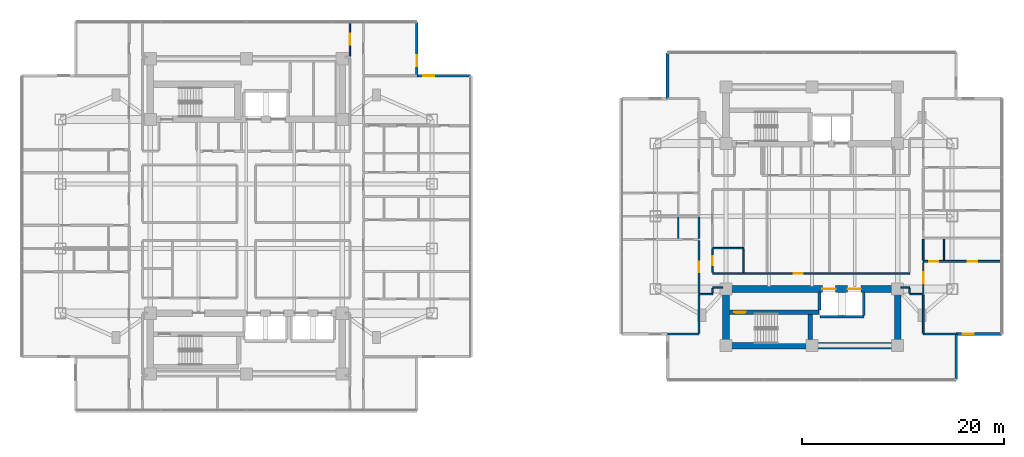
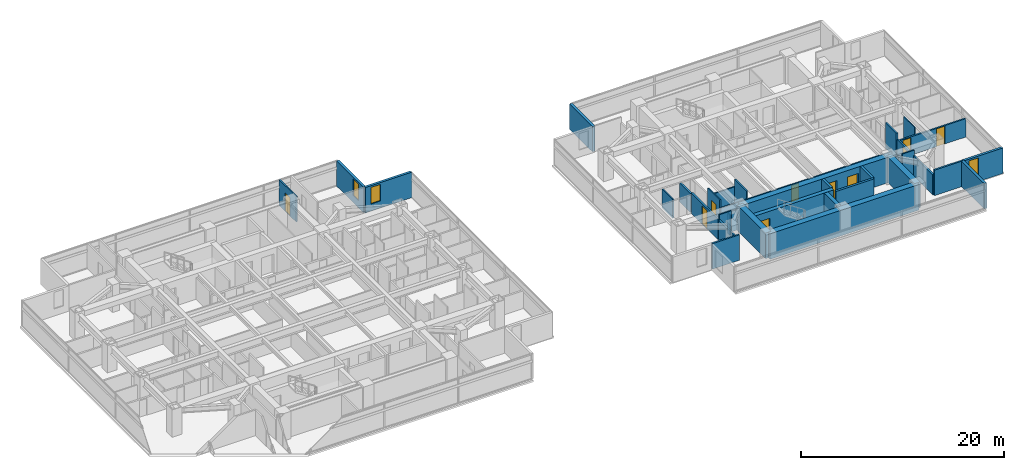
# One storey, part 17 of 25: 36 walls, 10 doors, 3 windows, 13 openings.
"""IFC4 building model written with IfcOpenShell, lengths in metres."""

from ifc_helpers import new_model, si_unit, direction, frame, frame_2d, origin, place, context, subcontext, project, spatial, rectangle, extrude, material, layer, layer_set, type_object, element, fill, save


model = new_model("IFC4")

# Units and contexts
model_context = context("Model", 3, precision=1e-05, world=origin(), true_north=direction((0.0, 1.0)))
body_context = subcontext(model_context, "Body", "Model", "MODEL_VIEW")
ifc_project = project(units=[si_unit("LENGTHUNIT", "METRE"), si_unit("AREAUNIT", "SQUARE_METRE"), si_unit("VOLUMEUNIT", "CUBIC_METRE"), si_unit("PLANEANGLEUNIT", "RADIAN"), si_unit("MASSUNIT", "GRAM", prefix="KILO")], contexts=[model_context])

# Site, building, storey
site_placement = place(None, origin())
site = spatial("IfcSite", under=ifc_project, at=site_placement, CompositionType="ELEMENT")
building_placement = place(site_placement, origin())
building = spatial("IfcBuilding", under=site, at=building_placement, Name="Mirazonda Arch Towers", CompositionType="ELEMENT")
storey_placement = place(building_placement, frame((0.0, 0.0, 111.5)))
storey = spatial("IfcBuildingStorey", under=building, at=storey_placement, Name="L31", CompositionType="ELEMENT", Elevation=111.5)

# Wall, opening, door
ifc_material_1 = material(Name="Concrete C50/60", Category="concrete")
ifc_layer_1 = layer(ifc_material_1, 0.449951171875, Name="WALL-CORE-450")
ifc_layer_set_1 = layer_set([ifc_layer_1], Name="Concrete C50/60")
wall_type_1 = type_object("IfcWallType", Name="WALL-CORE-450", PredefinedType="SHEAR", material=ifc_layer_set_1)
wall_1_placement = place(storey_placement, frame((68.320068359375, 18.5, 0.0), z_axis=(0.0, 0.0, 1.0), x_axis=(1.0, 0.0, 0.0)))
wall_1 = element("IfcWall", 1, at=wall_1_placement, inside=storey, type_object=wall_type_1, Name="L31 Stair Core Shear Wall 014", PredefinedType="SHEAR", context=body_context, shape_type="SweptSolid", body=[
    extrude(rectangle(XDim=8.89990234375, YDim=0.449951171875, at=frame_2d((4.449951171875, 0.0))), origin(), (0.0, 0.0, 1.0), 3.080078125),
])
opening_1_placement = place(wall_1_placement, frame((0.4951171875, 0.0, 0.0)))
opening_1 = element("IfcOpeningElement", 2, at=opening_1_placement, cuts=wall_1, Name="Opening DR-135", PredefinedType="OPENING", context=body_context, shape_type="SweptSolid", body=[
    extrude(rectangle(XDim=1.14990234375, YDim=2.199951171875, at=frame_2d((0.574951171875, 1.10009765625))), frame((0.0, 0.23486328125, 0.0), z_axis=(0.0, -1.0, 0.0), x_axis=(1.0, 0.0, 0.0)), (0.0, 0.0, 1.0), 0.469970703125),
])
ifc_material_2 = material(Name="Architectural Brushed Steel S355", Category="steel")
door_type_1 = type_object("IfcDoorType", Name="DOOR-STAIR-FD90-1150", OperationType="NOTDEFINED", PredefinedType="DOOR", material=ifc_material_2)
door_1_placement = place(opening_1_placement, origin())
door_1 = element("IfcDoor", 3, at=door_1_placement, inside=storey, type_object=door_type_1, Name="L31 East Protected Stair South Door", OperationType="SINGLE_SWING_RIGHT", OverallHeight=2.199951171875, OverallWidth=1.14990234375, PredefinedType="DOOR", context=body_context, shape_type="SweptSolid", body=[
    extrude(rectangle(XDim=1.14990234375, YDim=2.199951171875, at=frame_2d((0.574951171875, 1.10009765625))), frame((0.0, 0.02490234375, 0.0), z_axis=(0.0, -1.0, 0.0), x_axis=(1.0, 0.0, 0.0)), (0.0, 0.0, 1.0), 0.050048828125),
])
fill(opening_1, door_1)

# Walls
wall_2_placement = place(storey_placement, frame((76.360107421875, 15.81494140625, 0.0), z_axis=(0.0, 0.0, 1.0), x_axis=(0.0, 1.0, 0.0)))
element("IfcWall", 4, at=wall_2_placement, inside=storey, type_object=wall_type_1, Name="L31 Stair Core Shear Wall 154", PredefinedType="SHEAR", context=body_context, shape_type="SweptSolid", body=[
    extrude(rectangle(XDim=2.449951171875, YDim=0.449951171875, at=frame_2d((1.22509765625, 0.0))), origin(), (0.0, 0.0, 1.0), 3.080078125),
])
ifc_material_3 = material(Name="Concrete C60/75", Category="concrete")
ifc_layer_2 = layer(ifc_material_3, 0.64990234375, Name="WALL-CORE-650")
ifc_layer_set_2 = layer_set([ifc_layer_2], Name="Concrete C60/75")
wall_type_2 = type_object("IfcWallType", Name="WALL-CORE-650", PredefinedType="SHEAR", material=ifc_layer_set_2)
wall_3_placement = place(storey_placement, frame((68.0, 15.199951171875, 0.0), z_axis=(0.0, 0.0, 1.0), x_axis=(1.0, 0.0, 0.0)))
element("IfcWall", 5, at=wall_3_placement, inside=storey, type_object=wall_type_2, Name="L31 T2S-S Core Shear Wall", PredefinedType="SHEAR", context=body_context, shape_type="SweptSolid", body=[
    extrude(rectangle(XDim=17.0, YDim=0.64990234375, at=frame_2d((8.5, 0.0))), origin(), (0.0, 0.0, 1.0), 3.080078125),
])
for number, where, z_axis, x_axis, name in (
    (6, (68.0, 15.199951171875, 0.0), (0.0, 0.0, 1.0), (0.0, 1.0, 0.0), "L31 T2S-W Core Shear Wall"),
    (7, (85.0, 15.199951171875, 0.0), (0.0, 0.0, 1.0), (0.0, 1.0, 0.0), "L31 T2S-E Core Shear Wall"),
):
    element("IfcWall", number, at=place(storey_placement, frame(where, z_axis=z_axis, x_axis=x_axis)), inside=storey, type_object=wall_type_2, Name=name, PredefinedType="SHEAR", context=body_context, shape_type="SweptSolid", body=[
        extrude(rectangle(XDim=5.60009765625, YDim=0.64990234375, at=frame_2d((2.800048828125, 0.0))), origin(), (0.0, 0.0, 1.0), 3.080078125),
    ])

# Wall, openings, doors
wall_4_placement = place(storey_placement, frame((68.0, 20.800048828125, 0.0), z_axis=(0.0, 0.0, 1.0), x_axis=(1.0, 0.0, 0.0)))
wall_4 = element("IfcWall", 8, at=wall_4_placement, inside=storey, type_object=wall_type_2, Name="L31 T2S-N Core Shear Wall", PredefinedType="SHEAR", context=body_context, shape_type="SweptSolid", body=[
    extrude(rectangle(XDim=17.0, YDim=0.64990234375, at=frame_2d((8.5, 0.0))), origin(), (0.0, 0.0, 1.0), 3.080078125),
])
opening_2_placement = place(wall_4_placement, frame((9.550048828125, 0.0, 0.0)))
opening_2 = element("IfcOpeningElement", 9, at=opening_2_placement, cuts=wall_4, Name="Opening LD-111", PredefinedType="OPENING", context=body_context, shape_type="SweptSolid", body=[
    extrude(rectangle(XDim=1.300048828125, YDim=2.300048828125, at=frame_2d((0.64990234375, 1.14990234375))), frame((0.0, 0.3349609375, 0.0), z_axis=(0.0, -1.0, 0.0), x_axis=(1.0, 0.0, 0.0)), (0.0, 0.0, 1.0), 0.669921875),
])
opening_3_placement = place(wall_4_placement, frame((12.050048828125, 0.0, 0.0)))
opening_3 = element("IfcOpeningElement", 10, at=opening_3_placement, cuts=wall_4, Name="Opening LD-111", PredefinedType="OPENING", context=body_context, shape_type="SweptSolid", body=[
    extrude(rectangle(XDim=1.300048828125, YDim=2.300048828125, at=frame_2d((0.64990234375, 1.14990234375))), frame((0.0, 0.3349609375, 0.0), z_axis=(0.0, -1.0, 0.0), x_axis=(1.0, 0.0, 0.0)), (0.0, 0.0, 1.0), 0.669921875),
])
door_type_2 = type_object("IfcDoorType", Name="DOOR-LIFT-LAND-1300", OperationType="NOTDEFINED", PredefinedType="DOOR", material=ifc_material_2)
door_2_placement = place(opening_2_placement, origin())
door_2 = element("IfcDoor", 11, at=door_2_placement, inside=storey, type_object=door_type_2, Name="L31 Lift Landing Sliding Door PL-T2H1", OperationType="DOUBLE_DOOR_SLIDING", OverallHeight=2.300048828125, OverallWidth=1.300048828125, PredefinedType="DOOR", context=body_context, shape_type="SweptSolid", body=[
    extrude(rectangle(XDim=1.300048828125, YDim=2.300048828125, at=frame_2d((0.64990234375, 1.14990234375))), frame((0.0, 0.02490234375, 0.0), z_axis=(0.0, -1.0, 0.0), x_axis=(1.0, 0.0, 0.0)), (0.0, 0.0, 1.0), 0.050048828125),
])
fill(opening_2, door_2)
door_3_placement = place(opening_3_placement, origin())
door_3 = element("IfcDoor", 12, at=door_3_placement, inside=storey, type_object=door_type_2, Name="L31 Lift Landing Sliding Door PL-T2H2", OperationType="DOUBLE_DOOR_SLIDING", OverallHeight=2.300048828125, OverallWidth=1.300048828125, PredefinedType="DOOR", context=body_context, shape_type="SweptSolid", body=[
    extrude(rectangle(XDim=1.300048828125, YDim=2.300048828125, at=frame_2d((0.64990234375, 1.14990234375))), frame((0.0, 0.02490234375, 0.0), z_axis=(0.0, -1.0, 0.0), x_axis=(1.0, 0.0, 0.0)), (0.0, 0.0, 1.0), 0.050048828125),
])
fill(opening_3, door_3)

# Wall, opening, window
ifc_material_4 = material(Name="Precast Concrete C40/50", Category="concrete")
ifc_layer_3 = layer(ifc_material_4, 0.280029296875, Name="WALL-EXT-WALL-280")
ifc_layer_set_3 = layer_set([ifc_layer_3], Name="Precast Concrete C40/50")
wall_type_3 = type_object("IfcWallType", Name="WALL-EXT-WALL-280", PredefinedType="SOLIDWALL", material=ifc_layer_set_3)
wall_5_placement = place(storey_placement, frame((37.385009765625, 41.910888671875, 0.0), z_axis=(0.0, 0.0, 1.0), x_axis=(0.0, 1.0, 0.0)))
wall_5 = element("IfcWall", 13, at=wall_5_placement, inside=storey, type_object=wall_type_3, Name="L31 T1 Notched NE Corner Wall WL-L31-T1-CNE", PredefinedType="SOLIDWALL", context=body_context, shape_type="SweptSolid", body=[
    extrude(rectangle(XDim=5.30517578125, YDim=0.280029296875, at=frame_2d((2.652587890625, 0.0))), origin(), (0.0, 0.0, 1.0), 3.06005859375),
])
opening_4_placement = place(wall_5_placement, frame((0.949951171875, 0.0, 0.85009765625)))
opening_4 = element("IfcOpeningElement", 14, at=opening_4_placement, cuts=wall_5, Name="Opening WN-108", PredefinedType="OPENING", context=body_context, shape_type="SweptSolid", body=[
    extrude(rectangle(XDim=1.10009765625, YDim=2.0, at=frame_2d((0.550048828125, 1.0))), frame((0.0, 0.14990234375, 0.0), z_axis=(0.0, -1.0, 0.0), x_axis=(1.0, 0.0, 0.0)), (0.0, 0.0, 1.0), 0.300048828125),
])
ifc_material_5 = material(Name="Insulated Low-E Solar Glass", Category="glass")
window_type = type_object("IfcWindowType", Name="WIN-NOTCH-1100x2000", PartitioningType="SINGLE_PANEL", PredefinedType="WINDOW", material=ifc_material_5)
window_1_placement = place(opening_4_placement, origin())
window_1 = element("IfcWindow", 15, at=window_1_placement, inside=storey, type_object=window_type, Name="L31 Punched Facade Window WN-L31-T1-CNE", OverallHeight=2.0, OverallWidth=1.10009765625, PartitioningType="SINGLE_PANEL", PredefinedType="WINDOW", context=body_context, shape_type="SweptSolid", body=[
    extrude(rectangle(XDim=1.10009765625, YDim=2.0, at=frame_2d((0.550048828125, 1.0))), frame((0.0, 0.030029296875, 0.0), z_axis=(0.0, -1.0, 0.0), x_axis=(1.0, 0.0, 0.0)), (0.0, 0.0, 1.0), 0.06005859375),
])
fill(opening_4, window_1)

wall_6_placement = place(storey_placement, frame((42.68994140625, 41.910888671875, 0.0), z_axis=(0.0, 0.0, 1.0), x_axis=(-1.0, 0.0, 0.0)))
wall_6 = element("IfcWall", 16, at=wall_6_placement, inside=storey, type_object=wall_type_3, Name="L31 T1 Corner Notch Return Wall WL-L31-T1-CNE2", PredefinedType="SOLIDWALL", context=body_context, shape_type="SweptSolid", body=[
    extrude(rectangle(XDim=5.304931640625, YDim=0.280029296875, at=frame_2d((2.65234375, 0.0))), origin(), (0.0, 0.0, 1.0), 3.06005859375),
])
opening_5_placement = place(wall_6_placement, frame((3.554931640625, 0.0, 0.85009765625)))
opening_5 = element("IfcOpeningElement", 17, at=opening_5_placement, cuts=wall_6, Name="Opening WN-108", PredefinedType="OPENING", context=body_context, shape_type="SweptSolid", body=[
    extrude(rectangle(XDim=1.10009765625, YDim=2.0, at=frame_2d((0.550048828125, 1.0))), frame((0.0, 0.14990234375, 0.0), z_axis=(0.0, -1.0, 0.0), x_axis=(1.0, 0.0, 0.0)), (0.0, 0.0, 1.0), 0.300048828125),
])
window_2_placement = place(opening_5_placement, origin())
window_2 = element("IfcWindow", 18, at=window_2_placement, inside=storey, type_object=window_type, Name="L31 Punched Facade Window WN-L31-T1-CNE2", OverallHeight=2.0, OverallWidth=1.10009765625, PartitioningType="SINGLE_PANEL", PredefinedType="WINDOW", context=body_context, shape_type="SweptSolid", body=[
    extrude(rectangle(XDim=1.10009765625, YDim=2.0, at=frame_2d((0.550048828125, 1.0))), frame((0.0, 0.030029296875, 0.0), z_axis=(0.0, -1.0, 0.0), x_axis=(1.0, 0.0, 0.0)), (0.0, 0.0, 1.0), 0.06005859375),
])
fill(opening_5, window_2)

wall_7_placement = place(storey_placement, frame((90.792236328125, 16.335693359375, 0.0), z_axis=(0.0, 0.0, 1.0), x_axis=(1.0, 0.0, 0.0)))
wall_7 = element("IfcWall", 19, at=wall_7_placement, inside=storey, type_object=wall_type_3, Name="L31 T2 Corner Notch Return Wall WL-L31-T2-CSE1", PredefinedType="SOLIDWALL", context=body_context, shape_type="SweptSolid", body=[
    extrude(rectangle(XDim=4.516357421875, YDim=0.280029296875, at=frame_2d((2.25830078125, 0.0))), origin(), (0.0, 0.0, 1.0), 3.06005859375),
])
opening_6_placement = place(wall_7_placement, frame((0.64990234375, 0.0, 0.85009765625)))
opening_6 = element("IfcOpeningElement", 20, at=opening_6_placement, cuts=wall_7, Name="Opening WN-108", PredefinedType="OPENING", context=body_context, shape_type="SweptSolid", body=[
    extrude(rectangle(XDim=1.10009765625, YDim=2.0, at=frame_2d((0.550048828125, 1.0))), frame((0.0, 0.14990234375, 0.0), z_axis=(0.0, -1.0, 0.0), x_axis=(1.0, 0.0, 0.0)), (0.0, 0.0, 1.0), 0.300048828125),
])
window_3_placement = place(opening_6_placement, origin())
window_3 = element("IfcWindow", 21, at=window_3_placement, inside=storey, type_object=window_type, Name="L31 Punched Facade Window WN-L31-T2-CSE1", OverallHeight=2.0, OverallWidth=1.10009765625, PartitioningType="SINGLE_PANEL", PredefinedType="WINDOW", context=body_context, shape_type="SweptSolid", body=[
    extrude(rectangle(XDim=1.10009765625, YDim=2.0, at=frame_2d((0.550048828125, 1.0))), frame((0.0, 0.030029296875, 0.0), z_axis=(0.0, -1.0, 0.0), x_axis=(1.0, 0.0, 0.0)), (0.0, 0.0, 1.0), 0.06005859375),
])
fill(opening_6, window_3)

# Walls
for number, where, z_axis, x_axis, name in (
    (22, (90.792236328125, 11.8193359375, 0.0), (0.0, 0.0, 1.0), (0.0, 1.0, 0.0), "L31 T2 Corner Notch Return Wall WL-L31-T2-CSE2"),
    (23, (62.207763671875, 44.1806640625, 0.0), (0.0, 0.0, 1.0), (0.0, -1.0, 0.0), "L31 T2 Corner Notch Return Wall WL-L31-T2-CNW2"),
):
    element("IfcWall", number, at=place(storey_placement, frame(where, z_axis=z_axis, x_axis=x_axis)), inside=storey, type_object=wall_type_3, Name=name, PredefinedType="SOLIDWALL", context=body_context, shape_type="SweptSolid", body=[
        extrude(rectangle(XDim=4.516357421875, YDim=0.280029296875, at=frame_2d((2.25830078125, 0.0))), origin(), (0.0, 0.0, 1.0), 3.06005859375),
    ])
ifc_material_6 = material(Name="Fire-Rated Gypsum Stud Partition")
ifc_layer_4 = layer(ifc_material_6, 0.14990234375, Name="WALL-PART-CORR-150")
ifc_layer_set_4 = layer_set([ifc_layer_4], Name="Fire-Rated Gypsum Stud Partition")
wall_type_4 = type_object("IfcWallType", Name="WALL-PART-CORR-150", PredefinedType="PARTITIONING", material=ifc_layer_set_4)
wall_8_placement = place(storey_placement, frame((65.320068359375, 20.300048828125, 0.0), z_axis=(0.0, 0.0, 1.0), x_axis=(1.0, 0.0, 0.0)))
element("IfcWall", 24, at=wall_8_placement, inside=storey, type_object=wall_type_4, Name="L31 Interior Partition 018", PredefinedType="PARTITIONING", context=body_context, shape_type="SweptSolid", body=[
    extrude(rectangle(XDim=1.35986328125, YDim=0.14990234375, at=frame_2d((0.679931640625, 0.0))), origin(), (0.0, 0.0, 1.0), 3.080078125),
])
wall_9_placement = place(storey_placement, frame((86.179931640625, 20.300048828125, 0.0), z_axis=(0.0, 0.0, 1.0), x_axis=(1.0, 0.0, 0.0)))
element("IfcWall", 25, at=wall_9_placement, inside=storey, type_object=wall_type_4, Name="L31 Interior Partition 019", PredefinedType="PARTITIONING", context=body_context, shape_type="SweptSolid", body=[
    extrude(rectangle(XDim=1.360107421875, YDim=0.14990234375, at=frame_2d((0.68017578125, 0.0))), origin(), (0.0, 0.0, 1.0), 3.080078125),
])
wall_10_placement = place(storey_placement, frame((66.679931640625, 20.949951171875, 0.0), z_axis=(0.0, 0.0, 1.0), x_axis=(1.0, 0.0, 0.0)))
element("IfcWall", 26, at=wall_10_placement, inside=storey, type_object=wall_type_4, Name="L31 Interior Partition 020", PredefinedType="PARTITIONING", context=body_context, shape_type="SweptSolid", body=[
    extrude(rectangle(XDim=1.0, YDim=0.14990234375, at=frame_2d((0.5, 0.0))), origin(), (0.0, 0.0, 1.0), 2.471923828125),
])
wall_11_placement = place(storey_placement, frame((85.320068359375, 20.949951171875, 0.0), z_axis=(0.0, 0.0, 1.0), x_axis=(1.0, 0.0, 0.0)))
element("IfcWall", 27, at=wall_11_placement, inside=storey, type_object=wall_type_4, Name="L31 Interior Partition 021", PredefinedType="PARTITIONING", context=body_context, shape_type="SweptSolid", body=[
    extrude(rectangle(XDim=0.85986328125, YDim=0.14990234375, at=frame_2d((0.429931640625, 0.0))), origin(), (0.0, 0.0, 1.0), 2.471923828125),
])

# Wall, opening, door
wall_12_placement = place(storey_placement, frame((66.679931640625, 22.35009765625, 0.0), z_axis=(0.0, 0.0, 1.0), x_axis=(1.0, 0.0, 0.0)))
wall_12 = element("IfcWall", 28, at=wall_12_placement, inside=storey, type_object=wall_type_4, Name="L31 Interior Partition 024", PredefinedType="PARTITIONING", context=body_context, shape_type="SweptSolid", body=[
    extrude(rectangle(XDim=19.5, YDim=0.14990234375, at=frame_2d((9.75, 0.0))), origin(), (0.0, 0.0, 1.0), 2.14501953125),
])
opening_7_placement = place(wall_12_placement, frame((8.053466796875, 0.0, 0.0)))
opening_7 = element("IfcOpeningElement", 29, at=opening_7_placement, cuts=wall_12, Name="Opening DR-128", PredefinedType="OPENING", context=body_context, shape_type="SweptSolid", body=[
    extrude(rectangle(XDim=0.85009765625, YDim=2.010009765625, at=frame_2d((0.425048828125, 1.0048828125))), frame((0.0, 0.0849609375, 0.0), z_axis=(0.0, -1.0, 0.0), x_axis=(1.0, 0.0, 0.0)), (0.0, 0.0, 1.0), 0.169921875),
])
door_type_3 = type_object("IfcDoorType", Name="DOOR-RISER-FD60-850", OperationType="NOTDEFINED", PredefinedType="DOOR", material=ifc_material_2)
door_4_placement = place(opening_7_placement, origin())
door_4 = element("IfcDoor", 30, at=door_4_placement, inside=storey, type_object=door_type_3, Name="L31 Executive Club Lounge Door", OperationType="SINGLE_SWING_LEFT", OverallHeight=2.010009765625, OverallWidth=0.85009765625, PredefinedType="DOOR", context=body_context, shape_type="SweptSolid", body=[
    extrude(rectangle(XDim=0.85009765625, YDim=2.010009765625, at=frame_2d((0.425048828125, 1.0048828125))), frame((0.0, 0.02490234375, 0.0), z_axis=(0.0, -1.0, 0.0), x_axis=(1.0, 0.0, 0.0)), (0.0, 0.0, 1.0), 0.050048828125),
])
fill(opening_7, door_4)

# Wall
wall_13_placement = place(storey_placement, frame((66.679931640625, 24.85009765625, 0.0), z_axis=(0.0, 0.0, 1.0), x_axis=(1.0, 0.0, 0.0)))
element("IfcWall", 31, at=wall_13_placement, inside=storey, type_object=wall_type_4, Name="L31 Interior Partition 028", PredefinedType="PARTITIONING", context=body_context, shape_type="SweptSolid", body=[
    extrude(rectangle(XDim=3.070068359375, YDim=0.14990234375, at=frame_2d((1.53515625, 0.0))), origin(), (0.0, 0.0, 1.0), 2.14501953125),
])

# Wall, opening, door
wall_14_placement = place(storey_placement, frame((30.760009765625, 43.8349609375, 0.0), z_axis=(0.0, 0.0, 1.0), x_axis=(0.0, 1.0, 0.0)))
wall_14 = element("IfcWall", 32, at=wall_14_placement, inside=storey, type_object=wall_type_4, Name="L31 Interior Partition 115", PredefinedType="PARTITIONING", context=body_context, shape_type="SweptSolid", body=[
    extrude(rectangle(XDim=3.381103515625, YDim=0.14990234375, at=frame_2d((1.6904296875, 0.0))), origin(), (0.0, 0.0, 1.0), 3.080078125),
])
opening_8_placement = place(wall_14_placement, frame((1.16552734375, 0.0, 0.0)))
opening_8 = element("IfcOpeningElement", 33, at=opening_8_placement, cuts=wall_14, Name="Opening DR-121", PredefinedType="OPENING", context=body_context, shape_type="SweptSolid", body=[
    extrude(rectangle(XDim=1.050048828125, YDim=2.199951171875, at=frame_2d((0.52490234375, 1.10009765625))), frame((0.0, 0.0849609375, 0.0), z_axis=(0.0, -1.0, 0.0), x_axis=(1.0, 0.0, 0.0)), (0.0, 0.0, 1.0), 0.169921875),
])
door_type_4 = type_object("IfcDoorType", Name="DOOR-SUITE-FD60-1050", OperationType="NOTDEFINED", PredefinedType="DOOR", material=ifc_material_2)
door_5_placement = place(opening_8_placement, origin())
door_5 = element("IfcDoor", 34, at=door_5_placement, inside=storey, type_object=door_type_4, Name="L31 North Bay Sunroom Suite Door", OperationType="SINGLE_SWING_RIGHT", OverallHeight=2.199951171875, OverallWidth=1.050048828125, PredefinedType="DOOR", context=body_context, shape_type="SweptSolid", body=[
    extrude(rectangle(XDim=1.050048828125, YDim=2.199951171875, at=frame_2d((0.52490234375, 1.10009765625))), frame((0.0, 0.02490234375, 0.0), z_axis=(0.0, -1.0, 0.0), x_axis=(1.0, 0.0, 0.0)), (0.0, 0.0, 1.0), 0.050048828125),
])
fill(opening_8, door_5)

# Wall
wall_15_placement = place(storey_placement, frame((66.679931640625, 20.385009765625, 0.0), z_axis=(0.0, 0.0, 1.0), x_axis=(0.0, 1.0, 0.0)))
element("IfcWall", 35, at=wall_15_placement, inside=storey, type_object=wall_type_4, Name="L31 Interior Partition 142", PredefinedType="PARTITIONING", context=body_context, shape_type="SweptSolid", body=[
    extrude(rectangle(XDim=0.47998046875, YDim=0.14990234375, at=frame_2d((0.239990234375, 0.0))), origin(), (0.0, 0.0, 1.0), 2.471923828125),
])

# Wall, opening, door
wall_16_placement = place(storey_placement, frame((66.679931640625, 22.43505859375, 0.0), z_axis=(0.0, 0.0, 1.0), x_axis=(0.0, 1.0, 0.0)))
wall_16 = element("IfcWall", 36, at=wall_16_placement, inside=storey, type_object=wall_type_4, Name="L31 Interior Partition 143", PredefinedType="PARTITIONING", context=body_context, shape_type="SweptSolid", body=[
    extrude(rectangle(XDim=2.329833984375, YDim=0.14990234375, at=frame_2d((1.1650390625, 0.0))), origin(), (0.0, 0.0, 1.0), 3.080078125),
])
opening_9_placement = place(wall_16_placement, frame((0.715087890625, 0.0, 0.0)))
opening_9 = element("IfcOpeningElement", 37, at=opening_9_placement, cuts=wall_16, Name="Opening DR-120", PredefinedType="OPENING", context=body_context, shape_type="SweptSolid", body=[
    extrude(rectangle(XDim=0.89990234375, YDim=2.10009765625, at=frame_2d((0.449951171875, 1.050048828125))), frame((0.0, 0.0849609375, 0.0), z_axis=(0.0, -1.0, 0.0), x_axis=(1.0, 0.0, 0.0)), (0.0, 0.0, 1.0), 0.169921875),
])
door_type_5 = type_object("IfcDoorType", Name="DOOR-WC-900", OperationType="NOTDEFINED", PredefinedType="DOOR", material=ifc_material_2)
door_6_placement = place(opening_9_placement, origin())
door_6 = element("IfcDoor", 38, at=door_6_placement, inside=storey, type_object=door_type_5, Name="L31 Tower 2 Common Accessible WC Door", OperationType="SINGLE_SWING_LEFT", OverallHeight=2.10009765625, OverallWidth=0.89990234375, PredefinedType="DOOR", context=body_context, shape_type="SweptSolid", body=[
    extrude(rectangle(XDim=0.89990234375, YDim=2.10009765625, at=frame_2d((0.449951171875, 1.050048828125))), frame((0.0, 0.02490234375, 0.0), z_axis=(0.0, -1.0, 0.0), x_axis=(1.0, 0.0, 0.0)), (0.0, 0.0, 1.0), 0.050048828125),
])
fill(opening_9, door_6)

# Walls
wall_17_placement = place(storey_placement, frame((69.743408203125, 22.43505859375, 0.0), z_axis=(0.0, 0.0, 1.0), x_axis=(0.0, 1.0, 0.0)))
element("IfcWall", 39, at=wall_17_placement, inside=storey, type_object=wall_type_4, Name="L31 Interior Partition 147", PredefinedType="PARTITIONING", context=body_context, shape_type="SweptSolid", body=[
    extrude(rectangle(XDim=2.329833984375, YDim=0.14990234375, at=frame_2d((1.1650390625, 0.0))), origin(), (0.0, 0.0, 1.0), 3.080078125),
])
wall_18_placement = place(storey_placement, frame((86.179931640625, 20.385009765625, 0.0), z_axis=(0.0, 0.0, 1.0), x_axis=(0.0, 1.0, 0.0)))
element("IfcWall", 40, at=wall_18_placement, inside=storey, type_object=wall_type_4, Name="L31 Interior Partition 163", PredefinedType="PARTITIONING", context=body_context, shape_type="SweptSolid", body=[
    extrude(rectangle(XDim=0.47998046875, YDim=0.14990234375, at=frame_2d((0.239990234375, 0.0))), origin(), (0.0, 0.0, 1.0), 2.471923828125),
])
ifc_material_7 = material(Name="Fire-Rated Gypsum Twin-Stud Assembly")
ifc_layer_5 = layer(ifc_material_7, 0.179931640625, Name="WALL-PART-DEMISE-180")
ifc_layer_set_5 = layer_set([ifc_layer_5], Name="Fire-Rated Gypsum Twin-Stud Assembly")
wall_type_5 = type_object("IfcWallType", Name="WALL-PART-DEMISE-180", PredefinedType="PARTITIONING", material=ifc_layer_set_5)
wall_19_placement = place(storey_placement, frame((62.227783203125, 16.3359375, 0.0), z_axis=(0.0, 0.0, 1.0), x_axis=(1.0, 0.0, 0.0)))
element("IfcWall", 41, at=wall_19_placement, inside=storey, type_object=wall_type_5, Name="L31 Interior Partition 009", PredefinedType="PARTITIONING", context=body_context, shape_type="SweptSolid", body=[
    extrude(rectangle(XDim=3.09228515625, YDim=0.179931640625, at=frame_2d((1.546142578125, 0.0))), origin(), (0.0, 0.0, 1.0), 3.080078125),
])
wall_20_placement = place(storey_placement, frame((87.5400390625, 16.3359375, 0.0), z_axis=(0.0, 0.0, 1.0), x_axis=(1.0, 0.0, 0.0)))
element("IfcWall", 42, at=wall_20_placement, inside=storey, type_object=wall_type_5, Name="L31 Interior Partition 010", PredefinedType="PARTITIONING", context=body_context, shape_type="SweptSolid", body=[
    extrude(rectangle(XDim=3.232177734375, YDim=0.179931640625, at=frame_2d((1.6162109375, 0.0))), origin(), (0.0, 0.0, 1.0), 3.080078125),
])

# Wall, openings, doors
wall_21_placement = place(storey_placement, frame((87.5400390625, 23.533935546875, 0.0), z_axis=(0.0, 0.0, 1.0), x_axis=(1.0, 0.0, 0.0)))
wall_21 = element("IfcWall", 43, at=wall_21_placement, inside=storey, type_object=wall_type_5, Name="L31 Interior Partition 026", PredefinedType="PARTITIONING", context=body_context, shape_type="SweptSolid", body=[
    extrude(rectangle(XDim=7.76806640625, YDim=0.179931640625, at=frame_2d((3.884033203125, 0.0))), origin(), (0.0, 0.0, 1.0), 2.216064453125),
])
opening_10_placement = place(wall_21_placement, frame((4.408935546875, 0.0, 0.0)))
opening_10 = element("IfcOpeningElement", 44, at=opening_10_placement, cuts=wall_21, Name="Opening DR-104", PredefinedType="OPENING", context=body_context, shape_type="SweptSolid", body=[
    extrude(rectangle(XDim=0.949951171875, YDim=2.14990234375, at=frame_2d((0.47509765625, 1.074951171875))), frame((0.0, 0.099853515625, 0.0), z_axis=(0.0, -1.0, 0.0), x_axis=(1.0, 0.0, 0.0)), (0.0, 0.0, 1.0), 0.199951171875),
])
opening_11_placement = place(wall_21_placement, frame((0.590087890625, 0.0, 0.0)))
opening_11 = element("IfcOpeningElement", 45, at=opening_11_placement, cuts=wall_21, Name="Opening DR-120", PredefinedType="OPENING", context=body_context, shape_type="SweptSolid", body=[
    extrude(rectangle(XDim=0.89990234375, YDim=2.10009765625, at=frame_2d((0.449951171875, 1.050048828125))), frame((0.0, 0.099853515625, 0.0), z_axis=(0.0, -1.0, 0.0), x_axis=(1.0, 0.0, 0.0)), (0.0, 0.0, 1.0), 0.199951171875),
])
door_type_6 = type_object("IfcDoorType", Name="DOOR-ROOM-950", OperationType="NOTDEFINED", PredefinedType="DOOR", material=ifc_material_2)
door_7_placement = place(opening_10_placement, origin())
door_7 = element("IfcDoor", 46, at=door_7_placement, inside=storey, type_object=door_type_6, Name="L31 Guestroom Study 1 Door", OperationType="SINGLE_SWING_LEFT", OverallHeight=2.14990234375, OverallWidth=0.949951171875, PredefinedType="DOOR", context=body_context, shape_type="SweptSolid", body=[
    extrude(rectangle(XDim=0.949951171875, YDim=2.14990234375, at=frame_2d((0.47509765625, 1.074951171875))), frame((0.0, 0.02490234375, 0.0), z_axis=(0.0, -1.0, 0.0), x_axis=(1.0, 0.0, 0.0)), (0.0, 0.0, 1.0), 0.050048828125),
])
fill(opening_10, door_7)
door_8_placement = place(opening_11_placement, origin())
door_8 = element("IfcDoor", 47, at=door_8_placement, inside=storey, type_object=door_type_5, Name="L31 En-Suite Bathroom 1 Door", OperationType="SINGLE_SWING_RIGHT", OverallHeight=2.10009765625, OverallWidth=0.89990234375, PredefinedType="DOOR", context=body_context, shape_type="SweptSolid", body=[
    extrude(rectangle(XDim=0.89990234375, YDim=2.10009765625, at=frame_2d((0.449951171875, 1.050048828125))), frame((0.0, 0.02490234375, 0.0), z_axis=(0.0, -1.0, 0.0), x_axis=(1.0, 0.0, 0.0)), (0.0, 0.0, 1.0), 0.050048828125),
])
fill(opening_11, door_8)

# Wall
wall_22_placement = place(storey_placement, frame((65.320068359375, 16.43603515625, 0.0), z_axis=(0.0, 0.0, 1.0), x_axis=(0.0, 1.0, 0.0)))
element("IfcWall", 48, at=wall_22_placement, inside=storey, type_object=wall_type_5, Name="L31 Interior Partition 136", PredefinedType="PARTITIONING", context=body_context, shape_type="SweptSolid", body=[
    extrude(rectangle(XDim=3.779052734375, YDim=0.179931640625, at=frame_2d((1.8896484375, 0.0))), origin(), (0.0, 0.0, 1.0), 2.4560546875),
])

# Wall, opening, door
wall_23_placement = place(storey_placement, frame((65.320068359375, 20.385009765625, 0.0), z_axis=(0.0, 0.0, 1.0), x_axis=(0.0, 1.0, 0.0)))
wall_23 = element("IfcWall", 49, at=wall_23_placement, inside=storey, type_object=wall_type_5, Name="L31 Interior Partition 137", PredefinedType="PARTITIONING", context=body_context, shape_type="SweptSolid", body=[
    extrude(rectangle(XDim=5.215087890625, YDim=0.179931640625, at=frame_2d((2.607421875, 0.0))), origin(), (0.0, 0.0, 1.0), 2.471923828125),
])
opening_12_placement = place(wall_23_placement, frame((2.08251953125, 0.0, 0.0)))
opening_12 = element("IfcOpeningElement", 50, at=opening_12_placement, cuts=wall_23, Name="Opening DR-121", PredefinedType="OPENING", context=body_context, shape_type="SweptSolid", body=[
    extrude(rectangle(XDim=1.050048828125, YDim=2.199951171875, at=frame_2d((0.52490234375, 1.10009765625))), frame((0.0, 0.099853515625, 0.0), z_axis=(0.0, -1.0, 0.0), x_axis=(1.0, 0.0, 0.0)), (0.0, 0.0, 1.0), 0.199951171875),
])
door_9_placement = place(opening_12_placement, origin())
door_9 = element("IfcDoor", 51, at=door_9_placement, inside=storey, type_object=door_type_4, Name="L31 King Hotel Guestroom 1 Door", OperationType="SINGLE_SWING_RIGHT", OverallHeight=2.199951171875, OverallWidth=1.050048828125, PredefinedType="DOOR", context=body_context, shape_type="SweptSolid", body=[
    extrude(rectangle(XDim=1.050048828125, YDim=2.199951171875, at=frame_2d((0.52490234375, 1.10009765625))), frame((0.0, 0.02490234375, 0.0), z_axis=(0.0, -1.0, 0.0), x_axis=(1.0, 0.0, 0.0)), (0.0, 0.0, 1.0), 0.050048828125),
])
fill(opening_12, door_9)

# Walls
wall_24_placement = place(storey_placement, frame((65.320068359375, 25.800048828125, 0.0), z_axis=(0.0, 0.0, 1.0), x_axis=(0.0, 1.0, 0.0)))
element("IfcWall", 52, at=wall_24_placement, inside=storey, type_object=wall_type_5, Name="L31 Interior Partition 138", PredefinedType="PARTITIONING", context=body_context, shape_type="SweptSolid", body=[
    extrude(rectangle(XDim=2.12744140625, YDim=0.179931640625, at=frame_2d((1.063720703125, 0.0))), origin(), (0.0, 0.0, 1.0), 2.299072265625),
])
wall_25_placement = place(storey_placement, frame((87.5400390625, 16.43603515625, 0.0), z_axis=(0.0, 0.0, 1.0), x_axis=(0.0, 1.0, 0.0)))
element("IfcWall", 53, at=wall_25_placement, inside=storey, type_object=wall_type_5, Name="L31 Interior Partition 166", PredefinedType="PARTITIONING", context=body_context, shape_type="SweptSolid", body=[
    extrude(rectangle(XDim=3.779052734375, YDim=0.179931640625, at=frame_2d((1.8896484375, 0.0))), origin(), (0.0, 0.0, 1.0), 2.4560546875),
])

# Wall, opening, door
wall_26_placement = place(storey_placement, frame((87.5400390625, 20.385009765625, 0.0), z_axis=(0.0, 0.0, 1.0), x_axis=(0.0, 1.0, 0.0)))
wall_26 = element("IfcWall", 54, at=wall_26_placement, inside=storey, type_object=wall_type_5, Name="L31 Interior Partition 167", PredefinedType="PARTITIONING", context=body_context, shape_type="SweptSolid", body=[
    extrude(rectangle(XDim=3.049072265625, YDim=0.179931640625, at=frame_2d((1.5244140625, 0.0))), origin(), (0.0, 0.0, 1.0), 2.471923828125),
])
opening_13_placement = place(wall_26_placement, frame((0.99951171875, 0.0, 0.0)))
opening_13 = element("IfcOpeningElement", 55, at=opening_13_placement, cuts=wall_26, Name="Opening DR-121", PredefinedType="OPENING", context=body_context, shape_type="SweptSolid", body=[
    extrude(rectangle(XDim=1.050048828125, YDim=2.199951171875, at=frame_2d((0.52490234375, 1.10009765625))), frame((0.0, 0.099853515625, 0.0), z_axis=(0.0, -1.0, 0.0), x_axis=(1.0, 0.0, 0.0)), (0.0, 0.0, 1.0), 0.199951171875),
])
door_10_placement = place(opening_13_placement, origin())
door_10 = element("IfcDoor", 56, at=door_10_placement, inside=storey, type_object=door_type_4, Name="L31 King Hotel Guestroom 1 Door", OperationType="SINGLE_SWING_RIGHT", OverallHeight=2.199951171875, OverallWidth=1.050048828125, PredefinedType="DOOR", context=body_context, shape_type="SweptSolid", body=[
    extrude(rectangle(XDim=1.050048828125, YDim=2.199951171875, at=frame_2d((0.52490234375, 1.10009765625))), frame((0.0, 0.02490234375, 0.0), z_axis=(0.0, -1.0, 0.0), x_axis=(1.0, 0.0, 0.0)), (0.0, 0.0, 1.0), 0.050048828125),
])
fill(opening_13, door_10)

# Walls
wall_27_placement = place(storey_placement, frame((87.5400390625, 23.634033203125, 0.0), z_axis=(0.0, 0.0, 1.0), x_axis=(0.0, 1.0, 0.0)))
element("IfcWall", 57, at=wall_27_placement, inside=storey, type_object=wall_type_5, Name="L31 Interior Partition 168", PredefinedType="PARTITIONING", context=body_context, shape_type="SweptSolid", body=[
    extrude(rectangle(XDim=2.114990234375, YDim=0.179931640625, at=frame_2d((1.0576171875, 0.0))), origin(), (0.0, 0.0, 1.0), 3.080078125),
])
ifc_material_8 = material(Name="Acoustic Fire-Rated Gypsum Partition")
ifc_layer_6 = layer(ifc_material_8, 0.125, Name="WALL-PART-UNIT-125")
ifc_layer_set_6 = layer_set([ifc_layer_6], Name="Acoustic Fire-Rated Gypsum Partition")
wall_type_6 = type_object("IfcWallType", Name="WALL-PART-UNIT-125", PredefinedType="PARTITIONING", material=ifc_layer_set_6)
wall_28_placement = place(storey_placement, frame((63.280029296875, 25.800048828125, 0.0), z_axis=(0.0, 0.0, 1.0), x_axis=(0.0, 1.0, 0.0)))
element("IfcWall", 58, at=wall_28_placement, inside=storey, type_object=wall_type_6, Name="L31 Interior Partition 134", PredefinedType="PARTITIONING", context=body_context, shape_type="SweptSolid", body=[
    extrude(rectangle(XDim=2.12744140625, YDim=0.125, at=frame_2d((1.063720703125, 0.0))), origin(), (0.0, 0.0, 1.0), 2.299072265625),
])
wall_29_placement = place(storey_placement, frame((89.580078125, 23.634033203125, 0.0), z_axis=(0.0, 0.0, 1.0), x_axis=(0.0, 1.0, 0.0)))
element("IfcWall", 59, at=wall_29_placement, inside=storey, type_object=wall_type_6, Name="L31 Interior Partition 174", PredefinedType="PARTITIONING", context=body_context, shape_type="SweptSolid", body=[
    extrude(rectangle(XDim=2.114990234375, YDim=0.125, at=frame_2d((1.0576171875, 0.0))), origin(), (0.0, 0.0, 1.0), 3.080078125),
])
ifc_material_9 = material(Name="Concrete C40/50", Category="concrete")
ifc_layer_7 = layer(ifc_material_9, 0.25, Name="WALL-SHAFT-250")
ifc_layer_set_7 = layer_set([ifc_layer_7], Name="Concrete C40/50")
wall_type_7 = type_object("IfcWallType", Name="WALL-SHAFT-250", PredefinedType="SOLIDWALL", material=ifc_layer_set_7)
wall_30_placement = place(storey_placement, frame((77.300048828125, 18.050048828125, 0.0), z_axis=(0.0, 0.0, 1.0), x_axis=(1.0, 0.0, 0.0)))
element("IfcWall", 60, at=wall_30_placement, inside=storey, type_object=wall_type_7, Name="L31 Interior Partition 011", PredefinedType="SOLIDWALL", context=body_context, shape_type="SweptSolid", body=[
    extrude(rectangle(XDim=4.349853515625, YDim=0.25, at=frame_2d((2.1748046875, 0.0))), origin(), (0.0, 0.0, 1.0), 3.080078125),
])
wall_31_placement = place(storey_placement, frame((77.260009765625, 18.735107421875, 0.0), z_axis=(0.0, 0.0, 1.0), x_axis=(0.0, 1.0, 0.0)))
element("IfcWall", 61, at=wall_31_placement, inside=storey, type_object=wall_type_7, Name="L31 Interior Partition 156", PredefinedType="SOLIDWALL", context=body_context, shape_type="SweptSolid", body=[
    extrude(rectangle(XDim=1.744873046875, YDim=0.25, at=frame_2d((0.87255859375, 0.0))), origin(), (0.0, 0.0, 1.0), 3.080078125),
])
wall_32_placement = place(storey_placement, frame((81.64990234375, 18.18505859375, 0.0), z_axis=(0.0, 0.0, 1.0), x_axis=(0.0, 1.0, 0.0)))
element("IfcWall", 62, at=wall_32_placement, inside=storey, type_object=wall_type_7, Name="L31 Interior Partition 161", PredefinedType="SOLIDWALL", context=body_context, shape_type="SweptSolid", body=[
    extrude(rectangle(XDim=2.294921875, YDim=0.25, at=frame_2d((1.1474609375, 0.0))), origin(), (0.0, 0.0, 1.0), 3.080078125),
])

save(model, "model.ifc")
